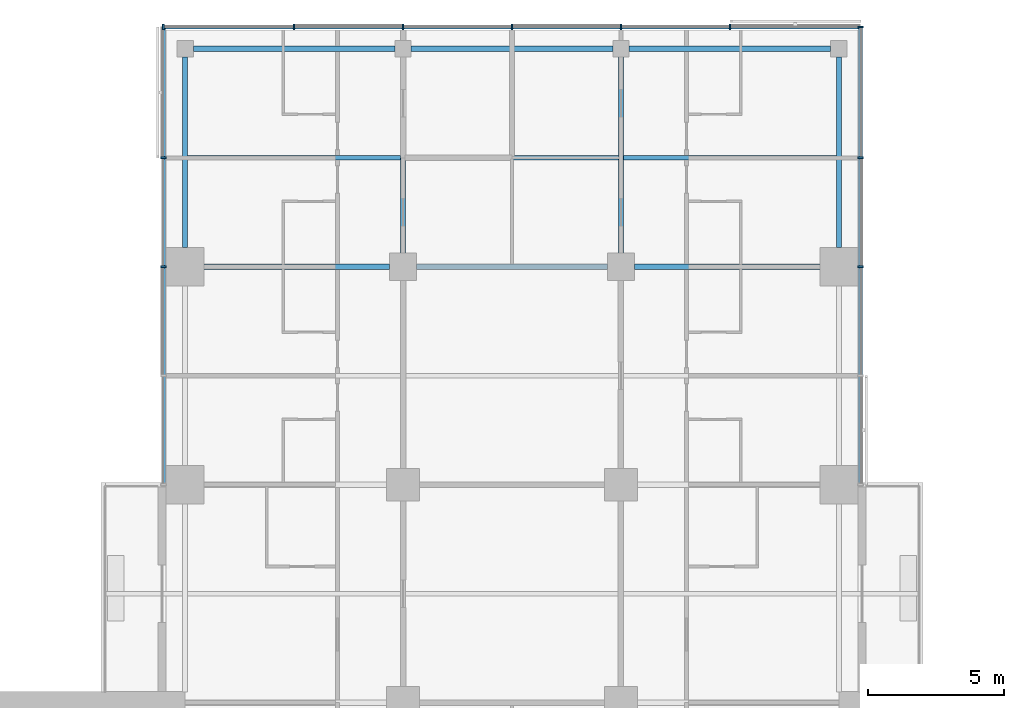
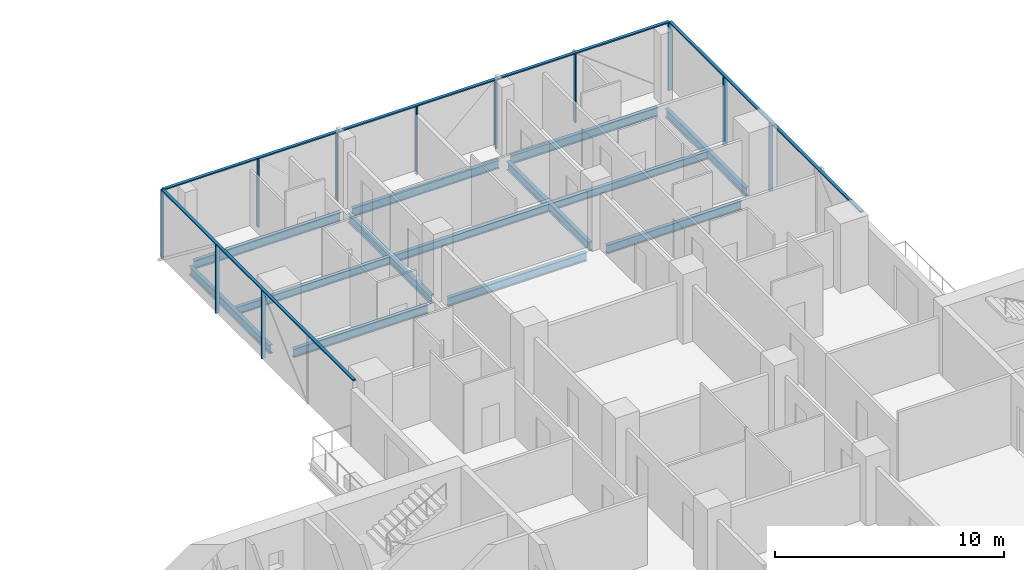
# One storey, part 12 of 29: 14 members, 13 beams, 3 elements without a shape of their own.
"""IFC4 building model written with IfcOpenShell, lengths in metres."""

from ifc_helpers import new_model, si_unit, direction, frame, origin, origin_2d, place, context, subcontext, project, spatial, rectangle, i_section, extrude, material, material_profile, profile_set, type_object, element, aggregate, save


model = new_model("IFC4")

# Units and contexts
model_context = context("Model", 3, precision=1e-05, world=origin(), true_north=direction((0.0, 1.0)))
body_context = subcontext(model_context, "Body", "Model", "MODEL_VIEW")
ifc_project = project(units=[si_unit("LENGTHUNIT", "METRE"), si_unit("AREAUNIT", "SQUARE_METRE"), si_unit("VOLUMEUNIT", "CUBIC_METRE"), si_unit("PLANEANGLEUNIT", "RADIAN"), si_unit("MASSUNIT", "GRAM", prefix="KILO")], contexts=[model_context])

# Site, building, storey
site_placement = place(None, origin())
site = spatial("IfcSite", under=ifc_project, at=site_placement, CompositionType="ELEMENT")
building_placement = place(site_placement, origin())
building = spatial("IfcBuilding", under=site, at=building_placement, Name="Crosswind Convention Tower", CompositionType="ELEMENT")
storey_placement = place(building_placement, frame((0.0, 0.0, 53.5)))
storey = spatial("IfcBuildingStorey", under=building, at=storey_placement, Name="L07", CompositionType="ELEMENT", Elevation=53.5)

# Beams
ifc_material_1 = material(Name="Steel S355", Category="steel")
ifc_material_profile_1 = material_profile(ifc_material_1, i_section(OverallWidth=0.1904296875, OverallDepth=0.457275390625, WebThickness=0.009033203125, FlangeThickness=0.014404296875, FilletRadius=0.01025390625, at=origin_2d()), Name="UB 457x191x75")
ifc_profile_set_1 = profile_set([ifc_material_profile_1], Name="Steel S355")
beam_type_1 = type_object("IfcBeamType", Name="Edge beam UB 457x191x75", PredefinedType="SPANDREL", material=ifc_profile_set_1)
beam_1_placement = place(storey_placement, frame((113.0, 128.699951171875, -0.508544921875), z_axis=(0.0, 1.0, 0.0), x_axis=(-1.0, 0.0, 0.0)))
element("IfcBeam", 1, at=beam_1_placement, inside=storey, type_object=beam_type_1, Name="B17 L07 edge beam 11", PredefinedType="SPANDREL", context=body_context, shape_type="SweptSolid", body=[
    extrude(i_section(OverallWidth=0.1904296875, OverallDepth=0.457275390625, WebThickness=0.009033203125, FlangeThickness=0.014404296875, FilletRadius=0.01025390625, at=origin_2d()), origin(), (0.0, 0.0, 1.0), 7.0),
])
for number, where, z_axis, x_axis, name in (
    (2, (113.300048828125, 136.0, -0.508544921875), (1.0, 0.0, 0.0), (0.0, 1.0, 0.0), "B17 L07 edge beam 13"),
    (3, (121.300048828125, 136.0, -0.508544921875), (1.0, 0.0, 0.0), (0.0, 1.0, 0.0), "B17 L07 edge beam 15"),
    (4, (129.300048828125, 136.0, -0.508544921875), (1.0, 0.0, 0.0), (0.0, 1.0, 0.0), "B17 L07 edge beam 17"),
):
    element("IfcBeam", number, at=place(storey_placement, frame(where, z_axis=z_axis, x_axis=x_axis)), inside=storey, type_object=beam_type_1, Name=name, PredefinedType="SPANDREL", context=body_context, shape_type="SweptSolid", body=[
        extrude(i_section(OverallWidth=0.1904296875, OverallDepth=0.457275390625, WebThickness=0.009033203125, FlangeThickness=0.014404296875, FilletRadius=0.01025390625, at=origin_2d()), origin(), (0.0, 0.0, 1.0), 7.39990234375),
    ])
beam_2_placement = place(storey_placement, frame((137.0, 128.699951171875, -0.508544921875), z_axis=(0.0, 1.0, 0.0), x_axis=(-1.0, 0.0, 0.0)))
element("IfcBeam", 5, at=beam_2_placement, inside=storey, type_object=beam_type_1, Name="B17 L07 edge beam 23", PredefinedType="SPANDREL", context=body_context, shape_type="SweptSolid", body=[
    extrude(i_section(OverallWidth=0.1904296875, OverallDepth=0.457275390625, WebThickness=0.009033203125, FlangeThickness=0.014404296875, FilletRadius=0.01025390625, at=origin_2d()), origin(), (0.0, 0.0, 1.0), 7.0),
])
ifc_material_profile_2 = material_profile(ifc_material_1, i_section(OverallWidth=0.19140625, OverallDepth=0.460205078125, WebThickness=0.010009765625, FlangeThickness=0.01611328125, FilletRadius=0.01025390625, at=origin_2d()), Name="UB 457x191x82")
ifc_profile_set_2 = profile_set([ifc_material_profile_2], Name="Steel S355")
beam_type_2 = type_object("IfcBeamType", Name="Girder UB 457x191x82", PredefinedType="BEAM", material=ifc_profile_set_2)
beam_3_placement = place(storey_placement, frame((113.699951171875, 128.0, -0.510009765625), z_axis=(1.0, 0.0, 0.0), x_axis=(0.0, 1.0, 0.0)))
element("IfcBeam", 6, at=beam_3_placement, inside=storey, type_object=beam_type_2, Name="B3 L07 girder 4", PredefinedType="BEAM", context=body_context, shape_type="SweptSolid", body=[
    extrude(i_section(OverallWidth=0.19140625, OverallDepth=0.460205078125, WebThickness=0.010009765625, FlangeThickness=0.01611328125, FilletRadius=0.01025390625, at=origin_2d()), origin(), (0.0, 0.0, 1.0), 6.800048828125),
])
beam_4_placement = place(storey_placement, frame((121.0, 128.5, -0.510009765625), z_axis=(0.0, 1.0, 0.0), x_axis=(-1.0, 0.0, 0.0)))
element("IfcBeam", 7, at=beam_4_placement, inside=storey, type_object=beam_type_2, Name="B3 L07 girder 13", PredefinedType="BEAM", context=body_context, shape_type="SweptSolid", body=[
    extrude(i_section(OverallWidth=0.19140625, OverallDepth=0.460205078125, WebThickness=0.010009765625, FlangeThickness=0.01611328125, FilletRadius=0.01025390625, at=origin_2d()), origin(), (0.0, 0.0, 1.0), 7.199951171875),
])
beam_5_placement = place(storey_placement, frame((121.5, 128.0, -0.510009765625), z_axis=(1.0, 0.0, 0.0), x_axis=(0.0, 1.0, 0.0)))
element("IfcBeam", 8, at=beam_5_placement, inside=storey, type_object=beam_type_2, Name="B3 L07 girder 15", PredefinedType="BEAM", context=body_context, shape_type="SweptSolid", body=[
    extrude(i_section(OverallWidth=0.19140625, OverallDepth=0.460205078125, WebThickness=0.010009765625, FlangeThickness=0.01611328125, FilletRadius=0.01025390625, at=origin_2d()), origin(), (0.0, 0.0, 1.0), 7.0),
])
beam_6_placement = place(storey_placement, frame((129.0, 128.5, -0.510009765625), z_axis=(0.0, 1.0, 0.0), x_axis=(-1.0, 0.0, 0.0)))
element("IfcBeam", 9, at=beam_6_placement, inside=storey, type_object=beam_type_2, Name="B3 L07 girder 30", PredefinedType="BEAM", context=body_context, shape_type="SweptSolid", body=[
    extrude(i_section(OverallWidth=0.19140625, OverallDepth=0.460205078125, WebThickness=0.010009765625, FlangeThickness=0.01611328125, FilletRadius=0.01025390625, at=origin_2d()), origin(), (0.0, 0.0, 1.0), 7.199951171875),
])
beam_7_placement = place(storey_placement, frame((129.5, 128.0, -0.510009765625), z_axis=(1.0, 0.0, 0.0), x_axis=(0.0, 1.0, 0.0)))
element("IfcBeam", 10, at=beam_7_placement, inside=storey, type_object=beam_type_2, Name="B3 L07 girder 32", PredefinedType="BEAM", context=body_context, shape_type="SweptSolid", body=[
    extrude(i_section(OverallWidth=0.19140625, OverallDepth=0.460205078125, WebThickness=0.010009765625, FlangeThickness=0.01611328125, FilletRadius=0.01025390625, at=origin_2d()), origin(), (0.0, 0.0, 1.0), 6.800048828125),
])

# Curtain wall, members
ifc_material_2 = material(Name="Aluminium unitised curtain wall", Category="aluminium")
curtain_wall_type = type_object("IfcCurtainWallType", Name="HOTEL UNITISED WALL 200", PredefinedType="USERDEFINED", material=ifc_material_2)
curtain_wall_1_placement = place(storey_placement, origin())
curtain_wall_1 = element("IfcCurtainWall", 11, at=curtain_wall_1_placement, inside=storey, type_object=curtain_wall_type, Name="CW2 L07 N-E 1", ObjectType="UNITISED", PredefinedType="USERDEFINED")
ifc_material_3 = material(Name="Aluminium mullion", Category="aluminium")
ifc_material_profile_3 = material_profile(ifc_material_3, rectangle(XDim=0.199951171875, YDim=0.06494140625, at=origin_2d()), Name="AL 200X65")
ifc_profile_set_3 = profile_set([ifc_material_profile_3], Name="Aluminium mullion")
member_type_1 = type_object("IfcMemberType", Name="MULLION 65X200", PredefinedType="MULLION", material=ifc_profile_set_3)
member_1_placement = place(storey_placement, frame((137.800048828125, 128.0, -0.280029296875), z_axis=(0.0, 0.0, 1.0), x_axis=(1.0, 0.0, 0.0)))
member_1 = element("IfcMember", 12, at=member_1_placement, type_object=member_type_1, Name="CW2 mullion 3", PredefinedType="MULLION", context=body_context, shape_type="SweptSolid", body=[
    extrude(rectangle(XDim=0.199951171875, YDim=0.06494140625, at=origin_2d()), origin(), (0.0, 0.0, 1.0), 3.635009765625),
])
member_2_placement = place(storey_placement, frame((137.800048828125, 132.0, -0.280029296875), z_axis=(0.0, 0.0, 1.0), x_axis=(1.0, 0.0, 0.0)))
member_2 = element("IfcMember", 13, at=member_2_placement, type_object=member_type_1, Name="CW2 mullion 4", PredefinedType="MULLION", context=body_context, shape_type="SweptSolid", body=[
    extrude(rectangle(XDim=0.199951171875, YDim=0.06494140625, at=origin_2d()), origin(), (0.0, 0.0, 1.0), 3.635009765625),
])
member_3_placement = place(storey_placement, frame((137.800048828125, 136.800048828125, -0.280029296875), z_axis=(0.0, 0.0, 1.0), x_axis=(1.0, 0.0, 0.0)))
member_3 = element("IfcMember", 14, at=member_3_placement, type_object=member_type_1, Name="CW2 mullion 5", PredefinedType="MULLION", context=body_context, shape_type="SweptSolid", body=[
    extrude(rectangle(XDim=0.199951171875, YDim=0.06494140625, at=origin_2d()), origin(), (0.0, 0.0, 1.0), 3.635009765625),
])

curtain_wall_2_placement = place(storey_placement, origin())
curtain_wall_2 = element("IfcCurtainWall", 15, at=curtain_wall_2_placement, inside=storey, type_object=curtain_wall_type, Name="CW2 L07 N-TIP 1", ObjectType="UNITISED", PredefinedType="USERDEFINED")
member_4_placement = place(storey_placement, frame((133.0, 136.800048828125, -0.280029296875), z_axis=(0.0, 0.0, 1.0), x_axis=(0.0, 1.0, 0.0)))
member_4 = element("IfcMember", 16, at=member_4_placement, type_object=member_type_1, Name="CW2 mullion 2", PredefinedType="MULLION", context=body_context, shape_type="SweptSolid", body=[
    extrude(rectangle(XDim=0.199951171875, YDim=0.06494140625, at=origin_2d()), origin(), (0.0, 0.0, 1.0), 3.635009765625),
])
member_5_placement = place(storey_placement, frame((129.0, 136.800048828125, -0.280029296875), z_axis=(0.0, 0.0, 1.0), x_axis=(0.0, 1.0, 0.0)))
member_5 = element("IfcMember", 17, at=member_5_placement, type_object=member_type_1, Name="CW2 mullion 3", PredefinedType="MULLION", context=body_context, shape_type="SweptSolid", body=[
    extrude(rectangle(XDim=0.199951171875, YDim=0.06494140625, at=origin_2d()), origin(), (0.0, 0.0, 1.0), 3.635009765625),
])
member_6_placement = place(storey_placement, frame((125.0, 136.800048828125, -0.280029296875), z_axis=(0.0, 0.0, 1.0), x_axis=(0.0, 1.0, 0.0)))
member_6 = element("IfcMember", 18, at=member_6_placement, type_object=member_type_1, Name="CW2 mullion 4", PredefinedType="MULLION", context=body_context, shape_type="SweptSolid", body=[
    extrude(rectangle(XDim=0.199951171875, YDim=0.06494140625, at=origin_2d()), origin(), (0.0, 0.0, 1.0), 3.635009765625),
])
member_7_placement = place(storey_placement, frame((121.0, 136.800048828125, -0.280029296875), z_axis=(0.0, 0.0, 1.0), x_axis=(0.0, 1.0, 0.0)))
member_7 = element("IfcMember", 19, at=member_7_placement, type_object=member_type_1, Name="CW2 mullion 5", PredefinedType="MULLION", context=body_context, shape_type="SweptSolid", body=[
    extrude(rectangle(XDim=0.199951171875, YDim=0.06494140625, at=origin_2d()), origin(), (0.0, 0.0, 1.0), 3.635009765625),
])
member_8_placement = place(storey_placement, frame((117.0, 136.800048828125, -0.280029296875), z_axis=(0.0, 0.0, 1.0), x_axis=(0.0, 1.0, 0.0)))
member_8 = element("IfcMember", 20, at=member_8_placement, type_object=member_type_1, Name="CW2 mullion 6", PredefinedType="MULLION", context=body_context, shape_type="SweptSolid", body=[
    extrude(rectangle(XDim=0.199951171875, YDim=0.06494140625, at=origin_2d()), origin(), (0.0, 0.0, 1.0), 3.635009765625),
])
member_9_placement = place(storey_placement, frame((112.199951171875, 136.800048828125, -0.280029296875), z_axis=(0.0, 0.0, 1.0), x_axis=(0.0, 1.0, 0.0)))
member_9 = element("IfcMember", 21, at=member_9_placement, type_object=member_type_1, Name="CW2 mullion 7", PredefinedType="MULLION", context=body_context, shape_type="SweptSolid", body=[
    extrude(rectangle(XDim=0.199951171875, YDim=0.06494140625, at=origin_2d()), origin(), (0.0, 0.0, 1.0), 3.635009765625),
])

curtain_wall_3_placement = place(storey_placement, origin())
curtain_wall_3 = element("IfcCurtainWall", 22, at=curtain_wall_3_placement, inside=storey, type_object=curtain_wall_type, Name="CW2 L07 N-W 1", ObjectType="UNITISED", PredefinedType="USERDEFINED")
member_10_placement = place(storey_placement, frame((112.199951171875, 132.0, -0.280029296875), z_axis=(0.0, 0.0, 1.0), x_axis=(-1.0, 0.0, 0.0)))
member_10 = element("IfcMember", 23, at=member_10_placement, type_object=member_type_1, Name="CW2 mullion 2", PredefinedType="MULLION", context=body_context, shape_type="SweptSolid", body=[
    extrude(rectangle(XDim=0.199951171875, YDim=0.06494140625, at=origin_2d()), origin(), (0.0, 0.0, 1.0), 3.635009765625),
])
member_11_placement = place(storey_placement, frame((112.199951171875, 128.0, -0.280029296875), z_axis=(0.0, 0.0, 1.0), x_axis=(-1.0, 0.0, 0.0)))
member_11 = element("IfcMember", 24, at=member_11_placement, type_object=member_type_1, Name="CW2 mullion 3", PredefinedType="MULLION", context=body_context, shape_type="SweptSolid", body=[
    extrude(rectangle(XDim=0.199951171875, YDim=0.06494140625, at=origin_2d()), origin(), (0.0, 0.0, 1.0), 3.635009765625),
])

# Beams
ifc_material_profile_4 = material_profile(ifc_material_1, i_section(OverallWidth=0.177734375, OverallDepth=0.406494140625, WebThickness=0.0078125, FlangeThickness=0.0126953125, FilletRadius=0.01025390625, at=origin_2d()), Name="UB 406x178x60")
ifc_profile_set_4 = profile_set([ifc_material_profile_4], Name="Steel S355")
beam_type_3 = type_object("IfcBeamType", Name="Secondary beam UB 406x178x60", PredefinedType="JOIST", material=ifc_profile_set_4)
beam_8_placement = place(storey_placement, frame((113.09521484375, 132.0, -0.483154296875), z_axis=(1.0, 0.0, 0.0), x_axis=(0.0, 1.0, 0.0)))
element("IfcBeam", 25, at=beam_8_placement, inside=storey, type_object=beam_type_3, Name="B10 L07 secondary beam 12", PredefinedType="JOIST", context=body_context, shape_type="SweptSolid", body=[
    extrude(i_section(OverallWidth=0.177734375, OverallDepth=0.406494140625, WebThickness=0.0078125, FlangeThickness=0.0126953125, FilletRadius=0.01025390625, at=origin_2d()), origin(), (0.0, 0.0, 1.0), 7.80908203125),
])
beam_9_placement = place(storey_placement, frame((121.095703125, 132.0, -0.483154296875), z_axis=(1.0, 0.0, 0.0), x_axis=(0.0, 1.0, 0.0)))
element("IfcBeam", 26, at=beam_9_placement, inside=storey, type_object=beam_type_3, Name="B10 L07 secondary beam 21", PredefinedType="JOIST", context=body_context, shape_type="SweptSolid", body=[
    extrude(i_section(OverallWidth=0.177734375, OverallDepth=0.406494140625, WebThickness=0.0078125, FlangeThickness=0.0126953125, FilletRadius=0.01025390625, at=origin_2d()), origin(), (0.0, 0.0, 1.0), 7.80859375),
])
beam_10_placement = place(storey_placement, frame((129.095703125, 132.0, -0.483154296875), z_axis=(1.0, 0.0, 0.0), x_axis=(0.0, 1.0, 0.0)))
element("IfcBeam", 27, at=beam_10_placement, inside=storey, type_object=beam_type_3, Name="B10 L07 secondary beam 30", PredefinedType="JOIST", context=body_context, shape_type="SweptSolid", body=[
    extrude(i_section(OverallWidth=0.177734375, OverallDepth=0.406494140625, WebThickness=0.0078125, FlangeThickness=0.0126953125, FilletRadius=0.01025390625, at=origin_2d()), origin(), (0.0, 0.0, 1.0), 7.80908203125),
])

# Member
ifc_material_4 = material(Name="Aluminium transom", Category="aluminium")
ifc_material_profile_5 = material_profile(ifc_material_4, rectangle(XDim=0.14990234375, YDim=0.06494140625, at=origin_2d()), Name="AL 150X65")
ifc_profile_set_5 = profile_set([ifc_material_profile_5], Name="Aluminium transom")
member_type_2 = type_object("IfcMemberType", Name="TRANSOM 65X150", PredefinedType="USERDEFINED", material=ifc_profile_set_5)
member_12_placement = place(storey_placement, frame((137.800048828125, 120.032470703125, 3.387451171875), z_axis=(0.0, 1.0, 0.0), x_axis=(-1.0, 0.0, 0.0)))
member_12 = element("IfcMember", 28, at=member_12_placement, type_object=member_type_2, Name="CW2 transom", ObjectType="TRANSOM", PredefinedType="USERDEFINED", context=body_context, shape_type="SweptSolid", body=[
    extrude(rectangle(XDim=0.14990234375, YDim=0.06494140625, at=origin_2d()), origin(), (0.0, 0.0, 1.0), 16.735107421875),
])

aggregate(curtain_wall_1, [member_1, member_2, member_3, member_12])

member_13_placement = place(storey_placement, frame((137.767578125, 136.800048828125, 3.387451171875), z_axis=(-1.0, 0.0, 0.0), x_axis=(0.0, -1.0, 0.0)))
member_13 = element("IfcMember", 29, at=member_13_placement, type_object=member_type_2, Name="CW2 transom", ObjectType="TRANSOM", PredefinedType="USERDEFINED", context=body_context, shape_type="SweptSolid", body=[
    extrude(rectangle(XDim=0.14990234375, YDim=0.06494140625, at=origin_2d()), origin(), (0.0, 0.0, 1.0), 25.53515625),
])

aggregate(curtain_wall_2, [member_4, member_5, member_6, member_7, member_8, member_9, member_13])

member_14_placement = place(storey_placement, frame((112.199951171875, 136.767578125, 3.387451171875), z_axis=(0.0, -1.0, 0.0), x_axis=(1.0, 0.0, 0.0)))
member_14 = element("IfcMember", 30, at=member_14_placement, type_object=member_type_2, Name="CW2 transom", ObjectType="TRANSOM", PredefinedType="USERDEFINED", context=body_context, shape_type="SweptSolid", body=[
    extrude(rectangle(XDim=0.14990234375, YDim=0.06494140625, at=origin_2d()), origin(), (0.0, 0.0, 1.0), 16.735107421875),
])

aggregate(curtain_wall_3, [member_10, member_11, member_14])

save(model, "model.ifc")
